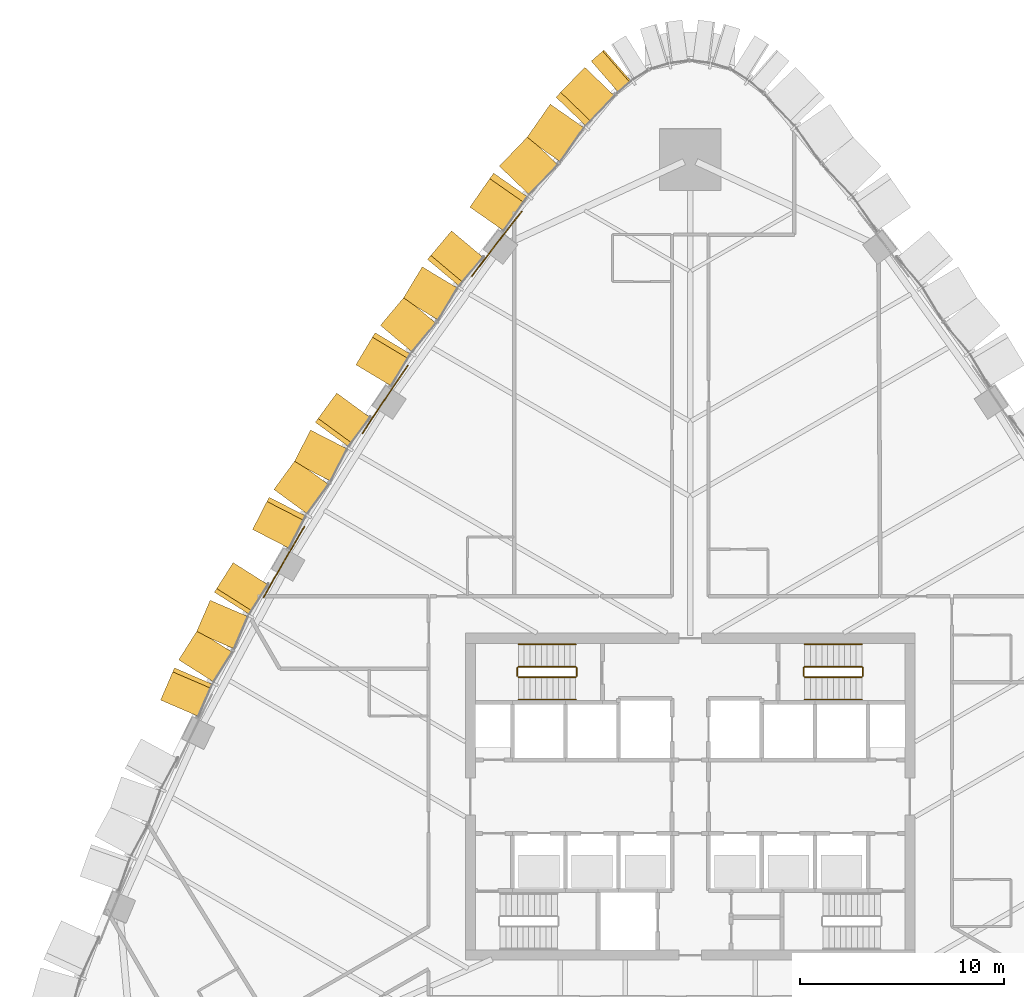
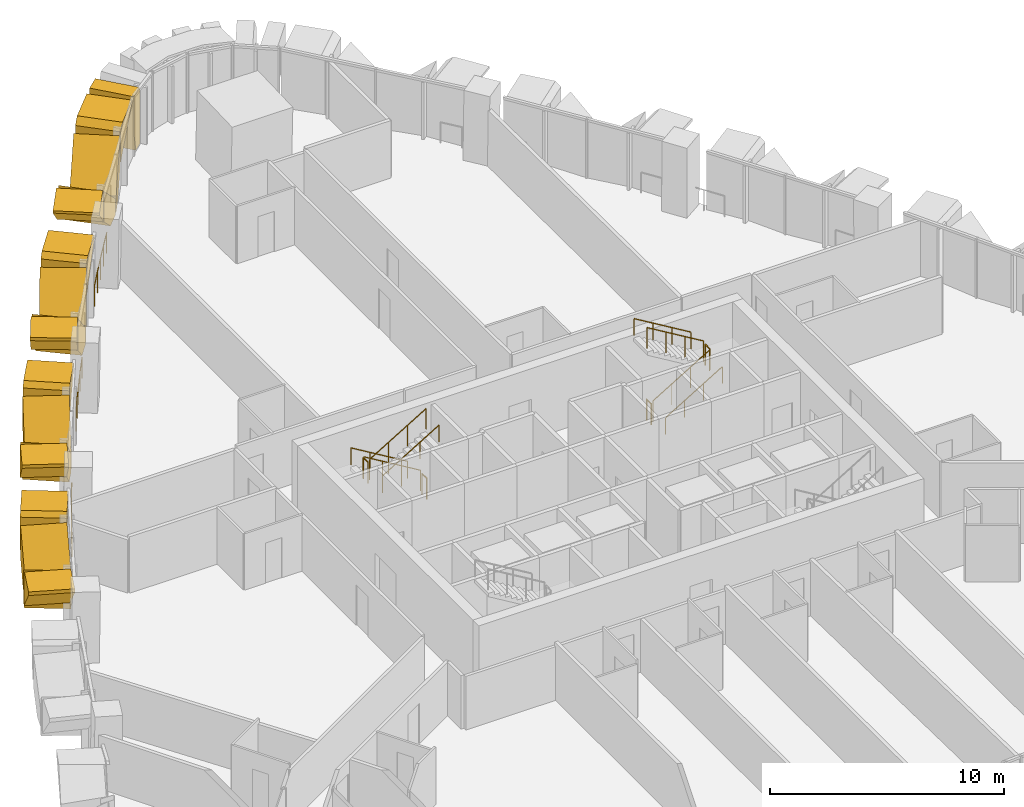
# One storey, part 22 of 24: 17 coverings, 15 railings.
"""IFC4 building model written with IfcOpenShell, lengths in metres."""

from ifc_helpers import new_model, si_unit, direction, frame, origin, origin_2d, place, context, subcontext, project, spatial, polyline, circle, outline, extrude, material, layer, layer_set, type_object, element, save


model = new_model("IFC4")

# Units and contexts
model_context = context("Model", 3, precision=1e-05, world=origin(), true_north=direction((0.0, 1.0)))
body_context = subcontext(model_context, "Body", "Model", "MODEL_VIEW")
ifc_project = project(units=[si_unit("LENGTHUNIT", "METRE"), si_unit("AREAUNIT", "SQUARE_METRE"), si_unit("VOLUMEUNIT", "CUBIC_METRE"), si_unit("PLANEANGLEUNIT", "RADIAN"), si_unit("MASSUNIT", "GRAM", prefix="KILO")], contexts=[model_context])

# Site, building, storey
site_placement = place(None, origin())
site = spatial("IfcSite", under=ifc_project, at=site_placement, CompositionType="ELEMENT")
building_placement = place(site_placement, origin())
building = spatial("IfcBuilding", under=site, at=building_placement, Name="Sierra Prisma Convention Tower", CompositionType="ELEMENT")
storey_placement = place(building_placement, frame((0.0, 0.0, 55.39990234375)))
storey = spatial("IfcBuildingStorey", under=building, at=storey_placement, Name="L09", CompositionType="ELEMENT", Elevation=55.39990234375)

# Coverings
ifc_material_1 = material(Name="Aluminium 6063-T6 bronze anodised", Category="aluminium")
ifc_layer = layer(ifc_material_1, 2.0)
ifc_layer_set = layer_set([ifc_layer], Name="Bronze crystal chevron frame")
covering_type = type_object("IfcCoveringType", Name="Bronze crystal chevron frame", PredefinedType="CLADDING", material=ifc_layer_set)
covering_1_placement = place(storey_placement, frame((-4.217529296875, 36.521240234375, 0.0), z_axis=(-0.656095884675, 0.754677540423, 9.647537e-06), x_axis=(-0.754677540458, -0.656095884706, 8.4e-11)))
element("IfcCovering", 1, at=covering_1_placement, inside=storey, type_object=covering_type, Name="CW-2 chevron frame N4.1.2", PredefinedType="CLADDING", context=body_context, shape_type="SweptSolid", body=[
    extrude(outline(polyline([(0.0, 0.0), (0.5548122426714469, 8.470329472543003e-22), (0.8272001032756156, 1.0593261717821705), (0.8272001034368205, 2.9799804685677884), (0.08254298345850081, 2.9799804691554583), (2.2327311690814935e-10, 2.660156249876203), (0.0, 0.0)])), origin(), (0.0, 0.0, -1.0), 2.0),
])
covering_2_placement = place(storey_placement, frame((-5.158447265625, 35.677490234375, 2.97998046875), z_axis=(-0.72056960776, 0.693382607136, -2.2228118e-05), x_axis=(1.6016906e-05, -1.541259e-05, -0.999999999753)))
element("IfcCovering", 2, at=covering_2_placement, inside=storey, type_object=covering_type, Name="CW-2 chevron frame NW1.1.1", PredefinedType="CLADDING", context=body_context, shape_type="SweptSolid", body=[
    extrude(outline(polyline([(0.0, 0.0), (0.12231445309478288, 2.0720874344453343e-22), (1.864990234054192, 2.0291639032841435), (0.2832031250699638, 2.0291639032841435), (-8.419782179581753e-10, 1.6991994742855054), (0.0, 0.0)])), origin(), (0.0, 0.0, -1.0), 2.0),
])
covering_3_placement = place(storey_placement, frame((-6.846923828125, 33.872802734375, 2.585205078125), z_axis=(-0.82012271626, 0.572187669988, -2.4259799e-05), x_axis=(1.9896013e-05, -1.3881158e-05, -0.999999999706)))
element("IfcCovering", 3, at=covering_3_placement, inside=storey, type_object=covering_type, Name="CW-2 chevron frame NW1.1.2", PredefinedType="CLADDING", context=body_context, shape_type="SweptSolid", body=[
    extrude(outline(polyline([(0.0, 0.0), (1.5817871089095292, 0.0), (2.585205079381606, 1.1683670661998717), (2.5852050779548037, 2.0293215619265625), (1.742675781327734, 2.0293215619265625), (0.0, 0.0)])), origin(), (0.0, 0.0, -1.0), 2.0),
])
covering_4_placement = place(storey_placement, frame((-8.526123046875, 31.68408203125, 0.0), z_axis=(-0.720623353585, 0.693326749763, 1.8210309e-05), x_axis=(-0.525979993147, -0.546705187436, 0.651504784971)))
element("IfcCovering", 4, at=covering_4_placement, inside=storey, type_object=covering_type, Name="CW-2 chevron frame NW1.2.1", PredefinedType="CLADDING", context=body_context, shape_type="SweptSolid", body=[
    extrude(outline(polyline([(0.0, 0.0), (1.5401544128315119, -2.220446049250313e-16), (2.570696283394781, 1.2000141297381282), (-0.10421287880450725, 1.2000673002672222), (-0.6531247471968273, 0.5608870623097779), (0.0, 0.0)])), origin(), (0.0, 0.0, -1.0), 2.0),
])
covering_5_placement = place(storey_placement, frame((-10.77880859375, 28.835205078125, 2.97998046875), z_axis=(-0.820129450844, 0.572178017627, 1.618922e-06), x_axis=(0.572178017628, 0.820129450845, 3e-12)))
element("IfcCovering", 5, at=covering_5_placement, inside=storey, type_object=covering_type, Name="CW-2 chevron frame NW1.2.2", PredefinedType="CLADDING", context=body_context, shape_type="SweptSolid", body=[
    extrude(outline(polyline([(0.0, 0.0), (1.6994883005581856, -2.117582368135751e-22), (2.029321562071768, 0.2832031250057042), (2.029321562067611, 1.8649902343786313), (-3.214453474047686e-13, 0.12231445312483971), (0.0, 0.0)])), origin(), (0.0, 0.0, -1.0), 2.0),
])
covering_6_placement = place(storey_placement, frame((-11.675537109375, 27.67578125, 2.97998046875), z_axis=(-0.765592287444, 0.64332607955, 6.9119418e-05), x_axis=(-5.2917293e-05, 4.4466324e-05, -0.999999997611)))
element("IfcCovering", 6, at=covering_6_placement, inside=storey, type_object=covering_type, Name="CW-2 chevron frame NW2.1.1", PredefinedType="CLADDING", context=body_context, shape_type="SweptSolid", body=[
    extrude(outline(polyline([(0.0, 0.0), (0.16333007773484579, 0.0), (1.8950195278779947, 1.827260473135825), (0.2416992193273583, 1.827260473135825), (-8.67903617057824e-09, 1.5720279819274725), (0.0, 0.0)])), origin(), (0.0, 0.0, -1.0), 2.0),
])
covering_7_placement = place(storey_placement, frame((-13.108642578125, 25.916015625, 2.615234375), z_axis=(-0.856773463001, 0.515692963976, 1.672388e-06), x_axis=(-1.432858e-06, 8.62439e-07, -0.999999999999)))
element("IfcCovering", 7, at=covering_7_placement, inside=storey, type_object=covering_type, Name="CW-2 chevron frame NW2.1.2", PredefinedType="CLADDING", context=body_context, shape_type="SweptSolid", body=[
    extrude(outline(polyline([(0.0, 0.0), (1.6533203124976878, 1.7505209713153448e-22), (2.6152343750061284, 1.015008005366255), (2.615234374999033, 1.8274079734335227), (1.7316894531252687, 1.8274079734335227), (0.0, 0.0)])), origin(), (0.0, 0.0, -1.0), 2.0),
])
covering_8_placement = place(storey_placement, frame((-14.501220703125, 23.82958984375, 0.0), z_axis=(-0.765592388532, 0.64332596272, -1.7661013e-05), x_axis=(-0.466974466973, -0.555705770156, 0.687841510968)))
element("IfcCovering", 8, at=covering_8_placement, inside=storey, type_object=covering_type, Name="CW-2 chevron frame NW2.2.1", PredefinedType="CLADDING", context=body_context, shape_type="SweptSolid", body=[
    extrude(outline(polyline([(0.0, 0.0), (1.3984530563410318, 0.0), (2.5356753982049334, 1.2000805806436836), (0.018210564522262884, 1.1999805093002038), (-0.5895283095482423, 0.558649791439972), (0.0, 0.0)])), origin(), (0.0, 0.0, -1.0), 2.0),
])
covering_9_placement = place(storey_placement, frame((-16.354248046875, 21.126220703125, 2.97998046875), z_axis=(-0.856830874483, 0.515597568112, 1.7029971e-05), x_axis=(0.515597568187, 0.856830874607, 3.35e-10)))
element("IfcCovering", 9, at=covering_9_placement, inside=storey, type_object=covering_type, Name="CW-2 chevron frame NW2.2.2", PredefinedType="CLADDING", context=body_context, shape_type="SweptSolid", body=[
    extrude(outline(polyline([(0.0, 0.0), (1.572001919332811, 1.6940658945086007e-21), (1.8272820835341745, 0.2416992193974721), (1.8272820829800556, 1.8950195316577245), (-5.47409397640468e-11, 0.16333007810131553), (0.0, 0.0)])), origin(), (0.0, 0.0, -1.0), 2.0),
])
covering_10_placement = place(storey_placement, frame((-17.29052734375, 19.741455078125, 2.97998046875), z_axis=(-0.807171419971, 0.590317116513, 2.708414e-05), x_axis=(-2.1861544e-05, 1.5988231e-05, -0.999999999633)))
element("IfcCovering", 10, at=covering_10_placement, inside=storey, type_object=covering_type, Name="CW-2 chevron frame NW3.1.1", PredefinedType="CLADDING", context=body_context, shape_type="SweptSolid", body=[
    extrude(outline(polyline([(0.0, 0.0), (0.17553710931061733, 2.9737143021281345e-22), (1.9038085932198952, 1.775470610128958), (0.22924804695908252, 1.775470610128958), (-1.3571403182197517e-09, 1.5398096499424432), (0.0, 0.0)])), origin(), (0.0, 0.0, -1.0), 2.0),
])
covering_11_placement = place(storey_placement, frame((-18.571533203125, 17.930908203125, 2.6240234375), z_axis=(-0.889561220805, 0.45681597434, -5.184493e-06), x_axis=(4.611924e-06, -2.368359e-06, -0.999999999987)))
element("IfcCovering", 11, at=covering_11_placement, inside=storey, type_object=covering_type, Name="CW-2 chevron frame NW3.1.2", PredefinedType="CLADDING", context=body_context, shape_type="SweptSolid", body=[
    extrude(outline(polyline([(0.0, 0.0), (1.674560546852495, 0.0), (2.6240234375593423, 0.975388118155965), (2.624023437490255, 1.7754185068959467), (1.7282714843772935, 1.7754185068959467), (0.0, 0.0)])), origin(), (0.0, 0.0, -1.0), 2.0),
])
covering_12_placement = place(storey_placement, frame((-19.3173828125, 16.45703125, 0.0), z_axis=(-0.807100936939, 0.59041348012, 9.181047e-06), x_axis=(-0.590413480145, -0.807100936973, -2.71e-10)))
element("IfcCovering", 12, at=covering_12_placement, inside=storey, type_object=covering_type, Name="CW-2 chevron frame NW3.2.1", PredefinedType="CLADDING", context=body_context, shape_type="SweptSolid", body=[
    extrude(outline(polyline([(0.0, 0.0), (0.8001054839782165, 0.0), (1.775614741875592, 0.949462891145824), (1.775614741422148, 2.6240234379502483), (-2.4255533383468785e-10, 0.8957519530872478), (0.0, 0.0)])), origin(), (0.0, 0.0, -1.0), 2.0),
])
covering_13_placement = place(storey_placement, frame((-21.40966796875, 13.067138671875, 2.97998046875), z_axis=(-0.889564954016, 0.456808702671, -4.1831376e-05), x_axis=(0.456808703071, 0.889564954795, 2.102e-09)))
element("IfcCovering", 13, at=covering_13_placement, inside=storey, type_object=covering_type, Name="CW-2 chevron frame NW3.2.2", PredefinedType="CLADDING", context=body_context, shape_type="SweptSolid", body=[
    extrude(outline(polyline([(0.0, 0.0), (1.539896199926672, -3.3881317890172014e-21), (1.7754185063949088, 0.22924805080814897), (1.7754185028743763, 1.9038085962180225), (-3.6904255540049537e-10, 0.175537109221417), (0.0, 0.0)])), origin(), (0.0, 0.0, -1.0), 2.0),
])
covering_14_placement = place(storey_placement, frame((-22.358642578125, 11.447265625, 2.97998046875), z_axis=(-0.845035659444, 0.5347099534, 1.82072e-06), x_axis=(-1.538573e-06, 9.73557e-07, -0.999999999998)))
element("IfcCovering", 14, at=covering_14_placement, inside=storey, type_object=covering_type, Name="CW-2 chevron frame NW4.1.1", PredefinedType="CLADDING", context=body_context, shape_type="SweptSolid", body=[
    extrude(outline(polyline([(0.0, 0.0), (0.19091796874968356, 0.0), (1.9152832031225344, 1.7158463833802995), (0.2138671875003545, 1.7158463833802995), (-6.273127541765532e-12, 1.5026271780803027), (0.0, 0.0)])), origin(), (0.0, 0.0, -1.0), 2.0),
])
covering_15_placement = place(storey_placement, frame((-23.48291015625, 9.605224609375, 2.635498046875), z_axis=(-0.91825915275, 0.395979957906, -3.6441774e-05), x_axis=(3.3462992e-05, -1.4430212e-05, -0.999999999336)))
element("IfcCovering", 15, at=covering_15_placement, inside=storey, type_object=covering_type, Name="CW-2 chevron frame NW4.1.2", PredefinedType="CLADDING", context=body_context, shape_type="SweptSolid", body=[
    extrude(outline(polyline([(0.0, 0.0), (1.7014160144952575, 0.0), (2.6354980498349616, 0.9294374504651954), (2.6354980463654893, 1.715931835782822), (1.7243652344704827, 1.715931835782822), (0.0, 0.0)])), origin(), (0.0, 0.0, -1.0), 2.0),
])
covering_16_placement = place(storey_placement, frame((-24.52490234375, 7.474853515625, 0.0), z_axis=(-0.845023495657, 0.534729174514, 4.1367161e-05), x_axis=(-0.377124291121, -0.596017997836, 0.70890042693)))
element("IfcCovering", 16, at=covering_16_placement, inside=storey, type_object=covering_type, Name="CW-2 chevron frame NW4.2.1", PredefinedType="CLADDING", context=body_context, shape_type="SweptSolid", body=[
    extrude(outline(polyline([(0.0, 0.0), (1.3176491369397487, -1.1102230246251565e-16), (2.5237836768020694, 1.2000233018665205), (0.0911792601541529, 1.2001779526043443), (-0.5547231796171459, 0.5575481689100046), (0.0, 0.0)])), origin(), (0.0, 0.0, -1.0), 2.0),
])
covering_17_placement = place(storey_placement, frame((-25.907958984375, 4.7216796875, 2.97998046875), z_axis=(-0.918317291519, 0.395845110164, 2.9264828e-05), x_axis=(0.395845110333, 0.918317291912, 1.078e-09)))
element("IfcCovering", 17, at=covering_17_placement, inside=storey, type_object=covering_type, Name="CW-2 chevron frame NW4.2.2", PredefinedType="CLADDING", context=body_context, shape_type="SweptSolid", body=[
    extrude(outline(polyline([(0.0, 0.0), (1.5029106897125784, 0.0), (1.7158351801769698, 0.21386718944183844), (1.7158351783422612, 1.9152832043382666), (-2.058748793389138e-10, 0.19091796866824606), (0.0, 0.0)])), origin(), (0.0, 0.0, -1.0), 2.0),
])

# Railings
ifc_material_2 = material(Name="Stainless steel", Category="steel")
railing_type_1 = type_object("IfcRailingType", Name="Exit stair handrail", PredefinedType="HANDRAIL", material=ifc_material_2)
railing_1_placement = place(storey_placement, frame((-5.60009765625, 7.449951171875, 0.168212890625)))
element("IfcRailing", 18, at=railing_1_placement, inside=storey, type_object=railing_type_1, Name="L09 S3 stair handrail 1", PredefinedType="HANDRAIL", context=body_context, shape_type="SweptSolid", body=[
    extrude(circle(Radius=0.02392578125, at=origin_2d()), frame((0.0, 0.0, 0.8759765625), z_axis=(-0.857222391501, 0.0, 0.514946377315), x_axis=(0.0, -1.0, 0.0)), (0.0, 0.0, 1.0), 3.26611328125),
    extrude(circle(Radius=0.02099609375, at=origin_2d()), origin(), (0.0, 0.0, 1.0), 0.851806640625),
    extrude(circle(Radius=0.02099609375, at=origin_2d()), frame((-0.933349609375, 0.0, 0.560546875)), (0.0, 0.0, 1.0), 0.851806640625),
    extrude(circle(Radius=0.02099609375, at=origin_2d()), frame((-1.866455078125, 0.0, 1.121337890625)), (0.0, 0.0, 1.0), 0.851806640625),
    extrude(circle(Radius=0.02099609375, at=origin_2d()), frame((-2.7998046875, 0.0, 1.681884765625)), (0.0, 0.0, 1.0), 0.851806640625),
])
for number, where, name in (
    (19, (-8.39990234375, 4.75, 2.018310546875), "L09 S3 stair handrail 2"),
    (20, (5.60009765625, 4.75, 0.168212890625), "L09 S4 stair handrail 1"),
):
    element("IfcRailing", number, at=place(storey_placement, frame(where)), inside=storey, type_object=railing_type_1, Name=name, PredefinedType="HANDRAIL", context=body_context, shape_type="SweptSolid", body=[
        extrude(circle(Radius=0.02392578125, at=origin_2d()), frame((0.0, 0.0, 0.8759765625), z_axis=(0.857222391501, 0.0, 0.514946377315), x_axis=(0.0, 1.0, 0.0)), (0.0, 0.0, 1.0), 3.26611328125),
        extrude(circle(Radius=0.02099609375, at=origin_2d()), origin(), (0.0, 0.0, 1.0), 0.851806640625),
        extrude(circle(Radius=0.02099609375, at=origin_2d()), frame((0.933349609375, 0.0, 0.560546875)), (0.0, 0.0, 1.0), 0.851806640625),
        extrude(circle(Radius=0.02099609375, at=origin_2d()), frame((1.866455078125, 0.0, 1.121337890625)), (0.0, 0.0, 1.0), 0.851806640625),
        extrude(circle(Radius=0.02099609375, at=origin_2d()), frame((2.7998046875, 0.0, 1.681884765625)), (0.0, 0.0, 1.0), 0.851806640625),
    ])
railing_2_placement = place(storey_placement, frame((8.39990234375, 7.449951171875, 2.018310546875)))
element("IfcRailing", 21, at=railing_2_placement, inside=storey, type_object=railing_type_1, Name="L09 S4 stair handrail 2", PredefinedType="HANDRAIL", context=body_context, shape_type="SweptSolid", body=[
    extrude(circle(Radius=0.02392578125, at=origin_2d()), frame((0.0, 0.0, 0.8759765625), z_axis=(-0.857222391501, 0.0, 0.514946377315), x_axis=(0.0, -1.0, 0.0)), (0.0, 0.0, 1.0), 3.26611328125),
    extrude(circle(Radius=0.02099609375, at=origin_2d()), origin(), (0.0, 0.0, 1.0), 0.851806640625),
    extrude(circle(Radius=0.02099609375, at=origin_2d()), frame((-0.933349609375, 0.0, 0.560546875)), (0.0, 0.0, 1.0), 0.851806640625),
    extrude(circle(Radius=0.02099609375, at=origin_2d()), frame((-1.866455078125, 0.0, 1.121337890625)), (0.0, 0.0, 1.0), 0.851806640625),
    extrude(circle(Radius=0.02099609375, at=origin_2d()), frame((-2.7998046875, 0.0, 1.681884765625)), (0.0, 0.0, 1.0), 0.851806640625),
])
ifc_material_3 = material(Name="Bronze anodised aluminium", Category="aluminium")
railing_type_2 = type_object("IfcRailingType", Name="Facade guard 1100", PredefinedType="GUARDRAIL", material=ifc_material_3)
railing_3_placement = place(storey_placement, frame((-8.242919921875, 28.623291015625, 0.0)))
element("IfcRailing", 22, at=railing_3_placement, inside=storey, type_object=railing_type_2, Name="Facade guard", PredefinedType="GUARDRAIL", context=body_context, shape_type="SweptSolid", body=[
    extrude(circle(Radius=0.02392578125, at=origin_2d()), frame((0.0, 0.0, 1.076171875), z_axis=(-0.618114340825, -0.786088202218, 0.0), x_axis=(0.786088202218, -0.618114340825, 0.0)), (0.0, 0.0, 1.0), 0.994140625),
    extrude(circle(Radius=0.02392578125, at=origin_2d()), frame((-0.614501953125, -0.781494140625, 1.076171875), z_axis=(-0.611961468532, -0.790887577999, 0.0), x_axis=(0.790887577999, -0.611961468532, 0.0)), (0.0, 0.0, 1.0), 1.000244140625),
    extrude(circle(Radius=0.02392578125, at=origin_2d()), frame((-1.2265625, -1.572509765625, 1.076171875), z_axis=(-0.606930521637, -0.794754894232, 0.0), x_axis=(0.794754894232, -0.606930521637, 0.0)), (0.0, 0.0, 1.0), 0.994384765625),
    extrude(circle(Radius=0.02392578125, at=origin_2d()), frame((-1.830078125, -2.36279296875, 1.076171875), z_axis=(-0.600859070251, -0.799354976026, 0.0), x_axis=(0.799354976026, -0.600859070251, 0.0)), (0.0, 0.0, 1.0), 1.0),
    extrude(circle(Radius=0.02099609375, at=origin_2d()), origin(), (0.0, 0.0, 1.0), 1.052001953125),
    extrude(circle(Radius=0.02099609375, at=origin_2d()), frame((-0.614501953125, -0.781494140625, 0.0)), (0.0, 0.0, 1.0), 1.052001953125),
    extrude(circle(Radius=0.02099609375, at=origin_2d()), frame((-1.2265625, -1.572509765625, 0.0)), (0.0, 0.0, 1.0), 1.052001953125),
    extrude(circle(Radius=0.02099609375, at=origin_2d()), frame((-1.830078125, -2.36279296875, 0.0)), (0.0, 0.0, 1.0), 1.052001953125),
    extrude(circle(Radius=0.02099609375, at=origin_2d()), frame((-2.430908203125, -3.162109375, 0.0)), (0.0, 0.0, 1.0), 1.052001953125),
])
railing_4_placement = place(storey_placement, frame((-13.812744140625, 21.086181640625, 0.0)))
element("IfcRailing", 23, at=railing_4_placement, inside=storey, type_object=railing_type_2, Name="Facade guard", PredefinedType="GUARDRAIL", context=body_context, shape_type="SweptSolid", body=[
    extrude(circle(Radius=0.02392578125, at=origin_2d()), frame((0.0, 0.0, 1.076171875), z_axis=(-0.566984907075, -0.823728180378, 0.0), x_axis=(0.823728180378, -0.566984907075, 0.0)), (0.0, 0.0, 1.0), 0.99951171875),
    extrude(circle(Radius=0.02392578125, at=origin_2d()), frame((-0.566650390625, -0.8232421875, 1.076171875), z_axis=(-0.556510882103, -0.830840320459, 0.0), x_axis=(0.830840320459, -0.556510882103, 0.0)), (0.0, 0.0, 1.0), 0.994873046875),
    extrude(circle(Radius=0.02392578125, at=origin_2d()), frame((-1.120361328125, -1.64990234375, 1.076171875), z_axis=(-0.555602004554, -0.831448382364, 0.0), x_axis=(0.831448382364, -0.555602004554, 0.0)), (0.0, 0.0, 1.0), 0.999267578125),
    extrude(circle(Radius=0.02392578125, at=origin_2d()), frame((-1.675537109375, -2.480712890625, 1.076171875), z_axis=(-0.544695094873, -0.838634159584, 0.0), x_axis=(0.838634159584, -0.544695094873, 0.0)), (0.0, 0.0, 1.0), 0.9951171875),
    extrude(circle(Radius=0.02099609375, at=origin_2d()), origin(), (0.0, 0.0, 1.0), 1.052001953125),
    extrude(circle(Radius=0.02099609375, at=origin_2d()), frame((-0.566650390625, -0.8232421875, 0.0)), (0.0, 0.0, 1.0), 1.052001953125),
    extrude(circle(Radius=0.02099609375, at=origin_2d()), frame((-1.120361328125, -1.64990234375, 0.0)), (0.0, 0.0, 1.0), 1.052001953125),
    extrude(circle(Radius=0.02099609375, at=origin_2d()), frame((-1.675537109375, -2.480712890625, 0.0)), (0.0, 0.0, 1.0), 1.052001953125),
    extrude(circle(Radius=0.02099609375, at=origin_2d()), frame((-2.217529296875, -3.315185546875, 0.0)), (0.0, 0.0, 1.0), 1.052001953125),
])
railing_5_placement = place(storey_placement, frame((-18.8759765625, 13.19970703125, 0.0)))
element("IfcRailing", 24, at=railing_5_placement, inside=storey, type_object=railing_type_2, Name="Facade guard", PredefinedType="GUARDRAIL", context=body_context, shape_type="SweptSolid", body=[
    extrude(circle(Radius=0.02392578125, at=origin_2d()), frame((0.0, 0.0, 1.076171875), z_axis=(-0.508235776172, -0.861217972303, 0.0), x_axis=(0.861217972303, -0.508235776172, 0.0)), (0.0, 0.0, 1.0), 1.000244140625),
    extrude(circle(Radius=0.02392578125, at=origin_2d()), frame((-0.50830078125, -0.861328125, 1.076171875), z_axis=(-0.503657252574, -0.863903566337, 0.0), x_axis=(0.863903566337, -0.503657252574, 0.0)), (0.0, 0.0, 1.0), 0.994140625),
    extrude(circle(Radius=0.02392578125, at=origin_2d()), frame((-1.009033203125, -1.72021484375, 1.076171875), z_axis=(-0.496217793427, -0.868198077334, 0.0), x_axis=(0.868198077334, -0.496217793427, 0.0)), (0.0, 0.0, 1.0), 1.000244140625),
    extrude(circle(Radius=0.02392578125, at=origin_2d()), frame((-1.50537109375, -2.588623046875, 1.076171875), z_axis=(-0.491531303579, -0.87085990699, 0.0), x_axis=(0.87085990699, -0.491531303579, 0.0)), (0.0, 0.0, 1.0), 0.994384765625),
    extrude(circle(Radius=0.02099609375, at=origin_2d()), origin(), (0.0, 0.0, 1.0), 1.052001953125),
    extrude(circle(Radius=0.02099609375, at=origin_2d()), frame((-0.50830078125, -0.861328125, 0.0)), (0.0, 0.0, 1.0), 1.052001953125),
    extrude(circle(Radius=0.02099609375, at=origin_2d()), frame((-1.009033203125, -1.72021484375, 0.0)), (0.0, 0.0, 1.0), 1.052001953125),
    extrude(circle(Radius=0.02099609375, at=origin_2d()), frame((-1.50537109375, -2.588623046875, 0.0)), (0.0, 0.0, 1.0), 1.052001953125),
    extrude(circle(Radius=0.02099609375, at=origin_2d()), frame((-1.994140625, -3.45458984375, 0.0)), (0.0, 0.0, 1.0), 1.052001953125),
])
ifc_material_4 = material(Name="Stainless steel", Category="steel")
railing_type_3 = type_object("IfcRailingType", Name="Stair guard 1100", PredefinedType="GUARDRAIL", material=ifc_material_4)
railing_6_placement = place(storey_placement, frame((-5.60009765625, 6.35009765625, 0.168212890625)))
element("IfcRailing", 25, at=railing_6_placement, inside=storey, type_object=railing_type_3, Name="L09 S3 stair guard 1", PredefinedType="GUARDRAIL", context=body_context, shape_type="SweptSolid", body=[
    extrude(circle(Radius=0.02392578125, at=origin_2d()), frame((0.0, 0.0, 1.076171875), z_axis=(-0.857222391501, 0.0, 0.514946377315), x_axis=(0.0, -1.0, 0.0)), (0.0, 0.0, 1.0), 3.26611328125),
    extrude(circle(Radius=0.02099609375, at=origin_2d()), origin(), (0.0, 0.0, 1.0), 1.052001953125),
    extrude(circle(Radius=0.02099609375, at=origin_2d()), frame((-0.933349609375, 0.0, 0.560546875)), (0.0, 0.0, 1.0), 1.052001953125),
    extrude(circle(Radius=0.02099609375, at=origin_2d()), frame((-1.866455078125, 0.0, 1.121337890625)), (0.0, 0.0, 1.0), 1.052001953125),
    extrude(circle(Radius=0.02099609375, at=origin_2d()), frame((-2.7998046875, 0.0, 1.681884765625)), (0.0, 0.0, 1.0), 1.052001953125),
])
railing_7_placement = place(storey_placement, frame((-8.449951171875, 6.300048828125, 1.85009765625)))
element("IfcRailing", 26, at=railing_7_placement, inside=storey, type_object=railing_type_3, Name="L09 S3 stair guard 2", PredefinedType="GUARDRAIL", context=body_context, shape_type="SweptSolid", body=[
    extrude(circle(Radius=0.02392578125, at=origin_2d()), frame((0.0, 0.0, 1.076171875), z_axis=(0.0, -1.0, 0.0), x_axis=(1.0, 0.0, 0.0)), (0.0, 0.0, 1.0), 0.400146484375),
    extrude(circle(Radius=0.02099609375, at=origin_2d()), origin(), (0.0, 0.0, 1.0), 1.052001953125),
    extrude(circle(Radius=0.02099609375, at=origin_2d()), frame((0.0, -0.400146484375, 0.0)), (0.0, 0.0, 1.0), 1.052001953125),
])
railing_8_placement = place(storey_placement, frame((-8.39990234375, 5.85009765625, 2.018310546875)))
element("IfcRailing", 27, at=railing_8_placement, inside=storey, type_object=railing_type_3, Name="L09 S3 stair guard 3", PredefinedType="GUARDRAIL", context=body_context, shape_type="SweptSolid", body=[
    extrude(circle(Radius=0.02392578125, at=origin_2d()), frame((0.0, 0.0, 1.076171875), z_axis=(0.857222391501, 0.0, 0.514946377315), x_axis=(0.0, 1.0, 0.0)), (0.0, 0.0, 1.0), 3.26611328125),
    extrude(circle(Radius=0.02099609375, at=origin_2d()), origin(), (0.0, 0.0, 1.0), 1.052001953125),
    extrude(circle(Radius=0.02099609375, at=origin_2d()), frame((0.933349609375, 0.0, 0.560546875)), (0.0, 0.0, 1.0), 1.052001953125),
    extrude(circle(Radius=0.02099609375, at=origin_2d()), frame((1.866455078125, 0.0, 1.121337890625)), (0.0, 0.0, 1.0), 1.052001953125),
    extrude(circle(Radius=0.02099609375, at=origin_2d()), frame((2.7998046875, 0.0, 1.681884765625)), (0.0, 0.0, 1.0), 1.052001953125),
])
railing_9_placement = place(storey_placement, frame((-5.550048828125, 6.300048828125, 0.0)))
element("IfcRailing", 28, at=railing_9_placement, inside=storey, type_object=railing_type_3, Name="L09 S3 stair guard 4", PredefinedType="GUARDRAIL", context=body_context, shape_type="SweptSolid", body=[
    extrude(circle(Radius=0.02392578125, at=origin_2d()), frame((0.0, 0.0, 1.076171875), z_axis=(0.0, -1.0, 0.0), x_axis=(1.0, 0.0, 0.0)), (0.0, 0.0, 1.0), 0.400146484375),
    extrude(circle(Radius=0.02099609375, at=origin_2d()), origin(), (0.0, 0.0, 1.0), 1.052001953125),
    extrude(circle(Radius=0.02099609375, at=origin_2d()), frame((0.0, -0.400146484375, 0.0)), (0.0, 0.0, 1.0), 1.052001953125),
])
railing_10_placement = place(storey_placement, frame((5.60009765625, 5.85009765625, 0.168212890625)))
element("IfcRailing", 29, at=railing_10_placement, inside=storey, type_object=railing_type_3, Name="L09 S4 stair guard 1", PredefinedType="GUARDRAIL", context=body_context, shape_type="SweptSolid", body=[
    extrude(circle(Radius=0.02392578125, at=origin_2d()), frame((0.0, 0.0, 1.076171875), z_axis=(0.857222391501, 0.0, 0.514946377315), x_axis=(0.0, 1.0, 0.0)), (0.0, 0.0, 1.0), 3.26611328125),
    extrude(circle(Radius=0.02099609375, at=origin_2d()), origin(), (0.0, 0.0, 1.0), 1.052001953125),
    extrude(circle(Radius=0.02099609375, at=origin_2d()), frame((0.933349609375, 0.0, 0.560546875)), (0.0, 0.0, 1.0), 1.052001953125),
    extrude(circle(Radius=0.02099609375, at=origin_2d()), frame((1.866455078125, 0.0, 1.121337890625)), (0.0, 0.0, 1.0), 1.052001953125),
    extrude(circle(Radius=0.02099609375, at=origin_2d()), frame((2.7998046875, 0.0, 1.681884765625)), (0.0, 0.0, 1.0), 1.052001953125),
])
railing_11_placement = place(storey_placement, frame((8.449951171875, 5.89990234375, 1.85009765625)))
element("IfcRailing", 30, at=railing_11_placement, inside=storey, type_object=railing_type_3, Name="L09 S4 stair guard 2", PredefinedType="GUARDRAIL", context=body_context, shape_type="SweptSolid", body=[
    extrude(circle(Radius=0.02392578125, at=origin_2d()), frame((0.0, 0.0, 1.076171875), z_axis=(0.0, 1.0, 0.0), x_axis=(-1.0, 0.0, 0.0)), (0.0, 0.0, 1.0), 0.400146484375),
    extrude(circle(Radius=0.02099609375, at=origin_2d()), origin(), (0.0, 0.0, 1.0), 1.052001953125),
    extrude(circle(Radius=0.02099609375, at=origin_2d()), frame((0.0, 0.400146484375, 0.0)), (0.0, 0.0, 1.0), 1.052001953125),
])
railing_12_placement = place(storey_placement, frame((8.39990234375, 6.35009765625, 2.018310546875)))
element("IfcRailing", 31, at=railing_12_placement, inside=storey, type_object=railing_type_3, Name="L09 S4 stair guard 3", PredefinedType="GUARDRAIL", context=body_context, shape_type="SweptSolid", body=[
    extrude(circle(Radius=0.02392578125, at=origin_2d()), frame((0.0, 0.0, 1.076171875), z_axis=(-0.857222391501, 0.0, 0.514946377315), x_axis=(0.0, -1.0, 0.0)), (0.0, 0.0, 1.0), 3.26611328125),
    extrude(circle(Radius=0.02099609375, at=origin_2d()), origin(), (0.0, 0.0, 1.0), 1.052001953125),
    extrude(circle(Radius=0.02099609375, at=origin_2d()), frame((-0.933349609375, 0.0, 0.560546875)), (0.0, 0.0, 1.0), 1.052001953125),
    extrude(circle(Radius=0.02099609375, at=origin_2d()), frame((-1.866455078125, 0.0, 1.121337890625)), (0.0, 0.0, 1.0), 1.052001953125),
    extrude(circle(Radius=0.02099609375, at=origin_2d()), frame((-2.7998046875, 0.0, 1.681884765625)), (0.0, 0.0, 1.0), 1.052001953125),
])
railing_13_placement = place(storey_placement, frame((5.550048828125, 5.89990234375, 0.0)))
element("IfcRailing", 32, at=railing_13_placement, inside=storey, type_object=railing_type_3, Name="L09 S4 stair guard 4", PredefinedType="GUARDRAIL", context=body_context, shape_type="SweptSolid", body=[
    extrude(circle(Radius=0.02392578125, at=origin_2d()), frame((0.0, 0.0, 1.076171875), z_axis=(0.0, 1.0, 0.0), x_axis=(-1.0, 0.0, 0.0)), (0.0, 0.0, 1.0), 0.400146484375),
    extrude(circle(Radius=0.02099609375, at=origin_2d()), origin(), (0.0, 0.0, 1.0), 1.052001953125),
    extrude(circle(Radius=0.02099609375, at=origin_2d()), frame((0.0, 0.400146484375, 0.0)), (0.0, 0.0, 1.0), 1.052001953125),
])

save(model, "model.ifc")
